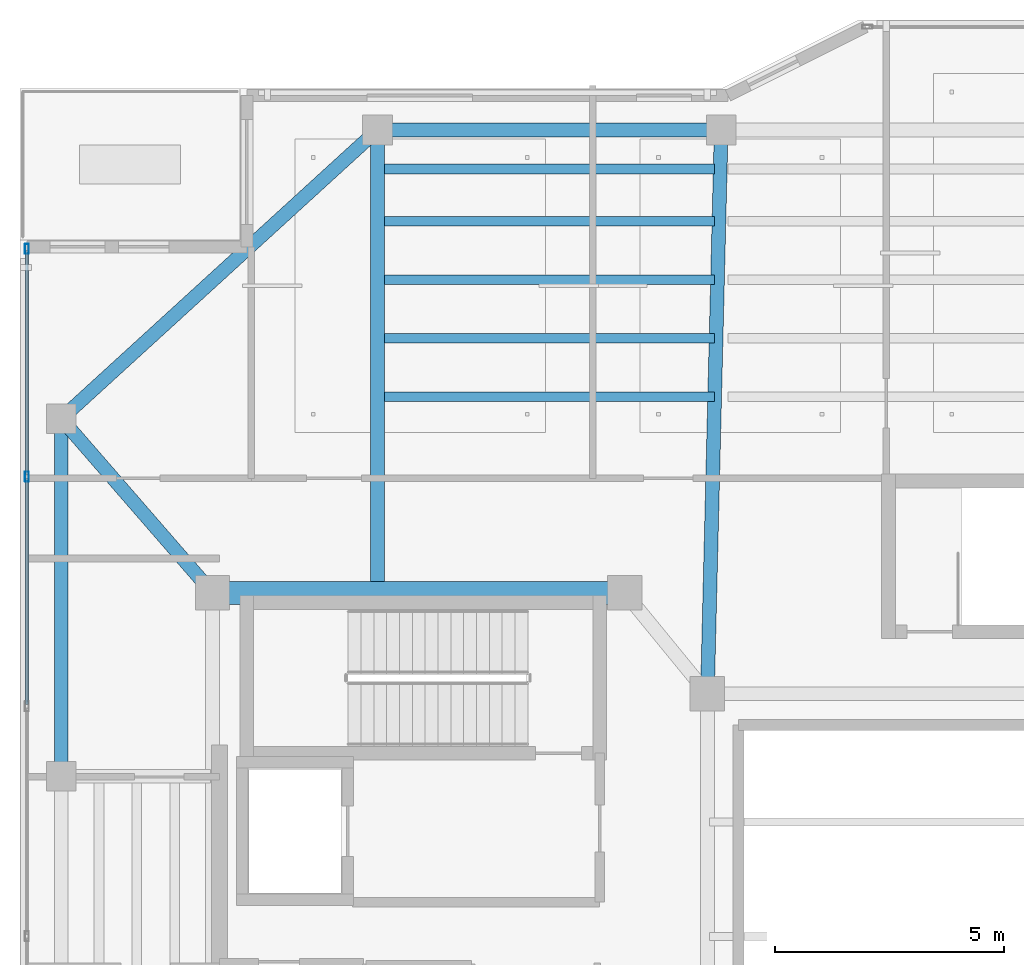
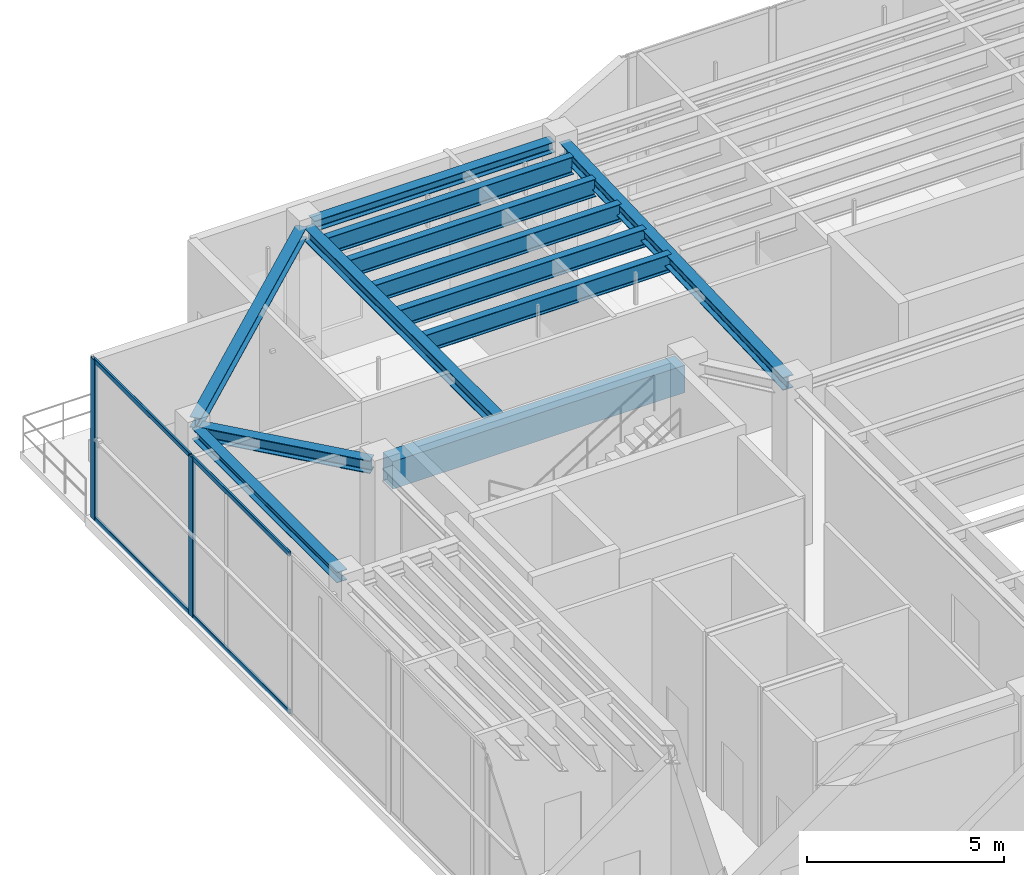
# One storey, part 10 of 23: 12 beams, 6 members, 1 element without a shape of its own.
"""IFC4 building model written with IfcOpenShell, lengths in metres."""

import ifcopenshell
import ifcopenshell.guid

model = None  # the IFC model being written
_history = None  # IfcOwnerHistory: only IFC2X3 demands one
_inside = {}  # id of a spatial element -> (the spatial element, [elements in it])
_under = {}  # id of a project, library or spatial element -> (it, [spatial elements below it])
_declared = {}  # id of a project -> (the project, [libraries it declares])
_typed = {}  # id of a type object -> (the type object, [elements of that type])
_made_of = {}  # id of a material, layer set ... -> (it, [elements and type objects made of it])


def new_model(schema):
    """Start an empty IFC model of exactly this schema.

    Asked for "IFC4X3", IfcOpenShell would pick the latest addendum, in which some entities
    have other attributes; the version numbers below select the first issue.
    IFC2X3 requires an IfcOwnerHistory on every rooted entity: one is made here for all.
    """
    global model, _history
    if schema == "IFC4X3":
        model = ifcopenshell.file(schema_version=(4, 3, 0, 0))
    else:
        model = ifcopenshell.file(schema=schema)
    _inside.clear()
    _under.clear()
    _declared.clear()
    _typed.clear()
    _made_of.clear()
    _history = None
    if model.schema == "IFC2X3":
        org = make("IfcOrganization", Name="unknown")
        user = make(
            "IfcPersonAndOrganization",
            ThePerson=make("IfcPerson", FamilyName="unknown"),
            TheOrganization=org,
        )
        app = make(
            "IfcApplication",
            ApplicationDeveloper=org,
            Version="unknown",
            ApplicationFullName="unknown",
            ApplicationIdentifier="unknown",
        )
        _history = make(
            "IfcOwnerHistory",
            OwningUser=user,
            OwningApplication=app,
            ChangeAction="ADDED",
            CreationDate=0,
        )
    return model


def make(cls, **values):
    """One entity of the class cls with the attributes given. An attribute that is None is left unset."""
    return model.create_entity(
        cls, **{name: value for name, value in values.items() if value is not None}
    )


def rooted(cls, **values):
    """An entity with a GlobalId (a new one), such as an element, a storey or a relation."""
    return make(cls, GlobalId=ifcopenshell.guid.new(), OwnerHistory=_history, **values)


def si_unit(unit_type, name, prefix=None):
    """IfcSIUnit, for example si_unit("LENGTHUNIT", "METRE", prefix="MILLI")."""
    return make("IfcSIUnit", UnitType=unit_type, Prefix=prefix, Name=name)


def assignment(units):
    """IfcUnitAssignment: the units of a project."""
    return None if units is None else make("IfcUnitAssignment", Units=units)


def point(xyz):
    """IfcCartesianPoint."""
    return None if xyz is None else make("IfcCartesianPoint", Coordinates=xyz)


def direction(xyz):
    """IfcDirection."""
    return None if xyz is None else make("IfcDirection", DirectionRatios=xyz)


def frame(location, z_axis=None, x_axis=None):
    """IfcAxis2Placement3D, a coordinate frame: its origin and axes. An axis left out is left unset."""
    return make(
        "IfcAxis2Placement3D",
        Location=point(location),
        Axis=direction(z_axis),
        RefDirection=direction(x_axis),
    )


def frame_2d(location, x_axis=None):
    """IfcAxis2Placement2D, a coordinate frame in the plane: its origin and x axis."""
    return make(
        "IfcAxis2Placement2D", Location=point(location), RefDirection=direction(x_axis)
    )


def origin():
    """The frame at (0, 0, 0) with its axes left unset."""
    return frame((0.0, 0.0, 0.0))


def origin_2d():
    """The frame at (0, 0) in the plane with its x axis left unset."""
    return frame_2d((0.0, 0.0))


def place(relative_to, where):
    """IfcLocalPlacement: puts the frame where relative to a parent placement (None: the world)."""
    return make(
        "IfcLocalPlacement", PlacementRelTo=relative_to, RelativePlacement=where
    )


def context(
    kind, dimensions, precision=None, world=None, true_north=None, identifier=None
):
    """IfcGeometricRepresentationContext, for example the 3D "Model" context."""
    return make(
        "IfcGeometricRepresentationContext",
        ContextIdentifier=identifier,
        ContextType=kind,
        CoordinateSpaceDimension=dimensions,
        Precision=precision,
        WorldCoordinateSystem=world,
        TrueNorth=true_north,
    )


def subcontext(parent, identifier, kind, view, scale=None):
    """IfcGeometricRepresentationSubContext, for example "Body" below "Model"."""
    return make(
        "IfcGeometricRepresentationSubContext",
        ContextIdentifier=identifier,
        ContextType=kind,
        ParentContext=parent,
        TargetScale=scale,
        TargetView=view,
    )


def project(units=None, contexts=None):
    """IfcProject with its units and contexts."""
    return rooted(
        "IfcProject",
        Name="project",
        RepresentationContexts=contexts,
        UnitsInContext=assignment(units),
    )


def spatial(cls, under=None, at=None, **own):
    """A site, building, storey or space (cls), placed at a placement, below another one or the project."""
    s = rooted(cls, ObjectPlacement=at, **own)
    if under is not None:
        _under.setdefault(under.id(), (under, []))[1].append(s)
    return s


def profile(cls, at=None, kind="AREA", **sizes):
    """A parametric profile (cls). Its sizes go by their IFC names, for example OverallWidth=200.0."""
    return make(cls, ProfileType=kind, Position=at, **sizes)


def rectangle(**sizes):
    """IfcRectangleProfileDef."""
    return profile("IfcRectangleProfileDef", **sizes)


def hollow_rectangle(**sizes):
    """IfcRectangleHollowProfileDef."""
    return profile("IfcRectangleHollowProfileDef", **sizes)


def i_section(**sizes):
    """IfcIShapeProfileDef."""
    return profile("IfcIShapeProfileDef", **sizes)


def extrude(swept, where, along, depth):
    """IfcExtrudedAreaSolid: the profile swept, set in the frame where, extruded along a direction by depth."""
    return make(
        "IfcExtrudedAreaSolid",
        SweptArea=swept,
        Position=where,
        ExtrudedDirection=direction(along),
        Depth=depth,
    )


def shape(context_of_items, identifier, shape_type, items):
    """IfcShapeRepresentation: the items that make up one representation, for example the "Body"."""
    return make(
        "IfcShapeRepresentation",
        ContextOfItems=context_of_items,
        RepresentationIdentifier=identifier,
        RepresentationType=shape_type,
        Items=items,
    )


def material(Name=None, Category=None):
    """IfcMaterial."""
    return make("IfcMaterial", Name=Name, Category=Category)


def layer(
    of_material, thickness, ventilated=None, Name=None, Category=None, Priority=None
):
    """IfcMaterialLayer: one layer of a wall or slab, of a material (None: an air gap)."""
    return make(
        "IfcMaterialLayer",
        Material=of_material,
        LayerThickness=thickness,
        IsVentilated=ventilated,
        Name=Name,
        Category=Category,
        Priority=Priority,
    )


def layer_set(layers, Name=None):
    """IfcMaterialLayerSet."""
    return make("IfcMaterialLayerSet", MaterialLayers=layers, LayerSetName=Name)


def material_profile(
    of_material, cross_section, Name=None, Category=None, Priority=None
):
    """IfcMaterialProfile: a cross section and its material."""
    return make(
        "IfcMaterialProfile",
        Name=Name,
        Material=of_material,
        Profile=cross_section,
        Priority=Priority,
        Category=Category,
    )


def profile_set(profiles, Name=None, composite=None):
    """IfcMaterialProfileSet."""
    return make(
        "IfcMaterialProfileSet",
        Name=Name,
        MaterialProfiles=profiles,
        CompositeProfile=composite,
    )


def made_of(thing, what):
    """Note that an element or type object is made of a material, layer set ...; save() writes the relation."""
    if what is not None:
        _made_of.setdefault(what.id(), (what, []))[1].append(thing)
    return thing


def type_object(cls, material=None, **own):
    """A type object (cls), such as IfcWallType, which elements share."""
    return made_of(rooted(cls, **own), material)


def element(
    cls,
    number,
    at=None,
    inside=None,
    cuts=None,
    type_object=None,
    material=None,
    context=None,
    identifier="Body",
    shape_type=None,
    held_by="IfcProductDefinitionShape",
    body=None,
    shapes=None,
    **own,
):
    """One element of the class cls, such as IfcWall. Its Tag is "e" and its number.

    at: its placement. inside: the storey or other place that contains it. cuts: it is an
    opening in that element (IfcRelVoidsElement). A single representation is given by context,
    identifier, shape_type and body (its items); several are given by shapes. held_by: the class
    of the entity that holds the representations. save() writes the other relations.
    """
    e = rooted(cls, Tag="e%d" % number, ObjectPlacement=at, **own)
    if body is not None:
        shapes = [shape(context, identifier, shape_type, body)]
    if shapes is not None:
        e.Representation = make(held_by, Representations=shapes)
    if inside is not None:
        _inside.setdefault(inside.id(), (inside, []))[1].append(e)
    if cuts is not None:
        rooted(
            "IfcRelVoidsElement", RelatingBuildingElement=cuts, RelatedOpeningElement=e
        )
    if type_object is not None:
        _typed.setdefault(type_object.id(), (type_object, []))[1].append(e)
    return made_of(e, material)


def aggregate(whole, parts):
    """IfcRelAggregates: a whole, such as a stair, and the parts it consists of."""
    return rooted("IfcRelAggregates", RelatingObject=whole, RelatedObjects=parts)


def save(model, path):
    """Write the relations noted so far, then the file.

    IfcRelAggregates (storeys below a building ...), IfcRelContainedInSpatialStructure (elements
    in a storey), IfcRelDefinesByType, IfcRelAssociatesMaterial and IfcRelDeclares: one each for
    every whole, place, type object, material and project.
    """
    for whole, parts in _under.values():
        aggregate(whole, parts)
    for where, things in _inside.values():
        rooted(
            "IfcRelContainedInSpatialStructure",
            RelatedElements=things,
            RelatingStructure=where,
        )
    for kind, things in _typed.values():
        rooted("IfcRelDefinesByType", RelatedObjects=things, RelatingType=kind)
    for what, things in _made_of.values():
        rooted("IfcRelAssociatesMaterial", RelatedObjects=things, RelatingMaterial=what)
    for by, libraries in _declared.values():
        rooted("IfcRelDeclares", RelatingContext=by, RelatedDefinitions=libraries)
    model.write(path)


model = new_model("IFC4")

# Units and contexts
model_context = context("Model", 3, precision=1e-05, world=origin(), true_north=direction((0.0, 1.0)))
body_context = subcontext(model_context, "Body", "Model", "MODEL_VIEW")
ifc_project = project(units=[si_unit("LENGTHUNIT", "METRE"), si_unit("AREAUNIT", "SQUARE_METRE"), si_unit("VOLUMEUNIT", "CUBIC_METRE"), si_unit("PLANEANGLEUNIT", "RADIAN"), si_unit("MASSUNIT", "GRAM", prefix="KILO")], contexts=[model_context])

# Site, building, storey
site_placement = place(None, origin())
site = spatial("IfcSite", under=ifc_project, at=site_placement, CompositionType="ELEMENT")
building_placement = place(site_placement, origin())
building = spatial("IfcBuilding", under=site, at=building_placement, Name="Tarnavaz Court Tower", CompositionType="ELEMENT")
storey_placement = place(building_placement, frame((0.0, 0.0, 276.300048828125)))
storey = spatial("IfcBuildingStorey", under=building, at=storey_placement, Name="L75", CompositionType="ELEMENT", Elevation=276.300048828125)

# Beams
ifc_material_1 = material(Name="Concrete C50/60", Category="concrete")
ifc_material_profile_1 = material_profile(ifc_material_1, rectangle(XDim=0.5, YDim=0.85009765625, at=origin_2d()), Name="RC 500X850")
ifc_profile_set_1 = profile_set([ifc_material_profile_1], Name="Concrete C50/60")
beam_type_1 = type_object("IfcBeamType", Name="BM-CB850", PredefinedType="LINTEL", material=ifc_profile_set_1)
beam_1_placement = place(storey_placement, frame((-18.3798828125, 10.0, 4.52490234375), z_axis=(1.0, 0.0, 0.0), x_axis=(0.0, 1.0, 0.0)))
element("IfcBeam", 1, at=beam_1_placement, inside=storey, type_object=beam_type_1, Name="L75 Beam IN-CW-NO-CW-NI", PredefinedType="LINTEL", context=body_context, shape_type="SweptSolid", body=[
    extrude(rectangle(XDim=0.5, YDim=0.85009765625, at=origin_2d()), origin(), (0.0, 0.0, 1.0), 8.559814453125),
])
ifc_material_2 = material(Name="Steel S355", Category="steel")
ifc_material_profile_2 = material_profile(ifc_material_2, i_section(OverallWidth=0.300048828125, OverallDepth=0.39990234375, WebThickness=0.013427734375, FlangeThickness=0.02392578125, FilletRadius=0.027099609375, at=origin_2d()), Name="HEB 400")
ifc_profile_set_2 = profile_set([ifc_material_profile_2], Name="Steel S355")
beam_type_2 = type_object("IfcBeamType", Name="BM-G-HEB400", PredefinedType="USERDEFINED", material=ifc_profile_set_2)
beam_2_placement = place(storey_placement, frame((-15.0, 10.0400390625, 4.75), z_axis=(0.0, 1.0, 0.0), x_axis=(-1.0, 0.0, 0.0)))
element("IfcBeam", 2, at=beam_2_placement, inside=storey, type_object=beam_type_2, Name="L75 Beam RG-01", ObjectType="GIRDER", PredefinedType="USERDEFINED", context=body_context, shape_type="SweptSolid", body=[
    extrude(i_section(OverallWidth=0.300048828125, OverallDepth=0.39990234375, WebThickness=0.013427734375, FlangeThickness=0.02392578125, FilletRadius=0.027099609375, at=origin_2d()), origin(), (0.0, 0.0, 1.0), 9.83984375),
])
beam_3_placement = place(storey_placement, frame((-7.794677734375, 8.02001953125, 4.75), z_axis=(0.024386002211, 0.99970261723, 0.0), x_axis=(-0.99970261723, 0.024386002211, 0.0)))
element("IfcBeam", 3, at=beam_3_placement, inside=storey, type_object=beam_type_2, Name="L75 Beam RG-02", ObjectType="GIRDER", PredefinedType="USERDEFINED", context=body_context, shape_type="SweptSolid", body=[
    extrude(i_section(OverallWidth=0.300048828125, OverallDepth=0.39990234375, WebThickness=0.013427734375, FlangeThickness=0.02392578125, FilletRadius=0.027099609375, at=origin_2d()), origin(), (0.0, 0.0, 1.0), 11.863525390625),
])
beam_4_placement = place(storey_placement, frame((-18.744384765625, 10.166015625, 4.75), z_axis=(-0.65565475567, 0.755060819648, 0.0), x_axis=(-0.755060819648, -0.65565475567, 0.0)))
element("IfcBeam", 4, at=beam_4_placement, inside=storey, type_object=beam_type_2, Name="L75 Beam RG-16", ObjectType="GIRDER", PredefinedType="USERDEFINED", context=body_context, shape_type="SweptSolid", body=[
    extrude(i_section(OverallWidth=0.300048828125, OverallDepth=0.39990234375, WebThickness=0.013427734375, FlangeThickness=0.02392578125, FilletRadius=0.027099609375, at=origin_2d()), origin(), (0.0, 0.0, 1.0), 4.5927734375),
])
ifc_material_profile_3 = material_profile(ifc_material_2, i_section(OverallWidth=0.2099609375, OverallDepth=0.550048828125, WebThickness=0.010986328125, FlangeThickness=0.01708984375, FilletRadius=0.02392578125, at=origin_2d()), Name="IPE 550")
ifc_profile_set_3 = profile_set([ifc_material_profile_3], Name="Steel S355")
beam_type_3 = type_object("IfcBeamType", Name="BM-J-IPE550", PredefinedType="JOIST", material=ifc_profile_set_3)
for number, where, z_axis, x_axis, name in (
    (5, (-14.85009765625, 14.278076171875, 4.675048828125), (1.0, 0.0, 0.0), (0.0, 1.0, 0.0), "L75 Beam JN1-1"),
    (6, (-14.85009765625, 15.555908203125, 4.675048828125), (1.0, 0.0, 0.0), (0.0, 1.0, 0.0), "L75 Beam JN2-1"),
    (7, (-14.85009765625, 16.833984375, 4.675048828125), (1.0, 0.0, 0.0), (0.0, 1.0, 0.0), "L75 Beam JN3-1"),
    (8, (-14.85009765625, 18.112060546875, 4.675048828125), (1.0, 0.0, 0.0), (0.0, 1.0, 0.0), "L75 Beam JN4-1"),
    (9, (-14.85009765625, 19.248046875, 4.675048828125), (1.0, 0.0, 0.0), (0.0, 1.0, 0.0), "L75 Beam JN5-1"),
):
    element("IfcBeam", number, at=place(storey_placement, frame(where, z_axis=z_axis, x_axis=x_axis)), inside=storey, type_object=beam_type_3, Name=name, PredefinedType="JOIST", context=body_context, shape_type="SweptSolid", body=[
        extrude(i_section(OverallWidth=0.2099609375, OverallDepth=0.550048828125, WebThickness=0.010986328125, FlangeThickness=0.01708984375, FilletRadius=0.02392578125, at=origin_2d()), origin(), (0.0, 0.0, 1.0), 7.2001953125),
    ])
ifc_material_profile_4 = material_profile(ifc_material_2, i_section(OverallWidth=0.300048828125, OverallDepth=0.330078125, WebThickness=0.009521484375, FlangeThickness=0.0166015625, FilletRadius=0.027099609375, at=origin_2d()), Name="HEA 340")
ifc_profile_set_4 = profile_set([ifc_material_profile_4], Name="Steel S355")
beam_type_4 = type_object("IfcBeamType", Name="BM-SP-HEA340", PredefinedType="BEAM", material=ifc_profile_set_4)
beam_5_placement = place(storey_placement, frame((-14.780029296875, 20.10009765625, 4.784912109375), z_axis=(1.0, 0.0, 0.0), x_axis=(0.0, 1.0, 0.0)))
element("IfcBeam", 10, at=beam_5_placement, inside=storey, type_object=beam_type_4, Name="L75 Beam PR-PN-1-PN-2", PredefinedType="BEAM", context=body_context, shape_type="SweptSolid", body=[
    extrude(i_section(OverallWidth=0.300048828125, OverallDepth=0.330078125, WebThickness=0.009521484375, FlangeThickness=0.0166015625, FilletRadius=0.027099609375, at=origin_2d()), origin(), (0.0, 0.0, 1.0), 7.06005859375),
])
beam_6_placement = place(storey_placement, frame((-21.89990234375, 6.219970703125, 4.784912109375), z_axis=(0.0, 1.0, 0.0), x_axis=(-1.0, 0.0, 0.0)))
element("IfcBeam", 11, at=beam_6_placement, inside=storey, type_object=beam_type_4, Name="L75 Beam PR-PW-3-PW-4", PredefinedType="BEAM", context=body_context, shape_type="SweptSolid", body=[
    extrude(i_section(OverallWidth=0.300048828125, OverallDepth=0.330078125, WebThickness=0.009521484375, FlangeThickness=0.0166015625, FilletRadius=0.027099609375, at=origin_2d()), origin(), (0.0, 0.0, 1.0), 7.360107421875),
])
beam_7_placement = place(storey_placement, frame((-21.737548828125, 13.9482421875, 4.784912109375), z_axis=(0.738474214476, 0.674281717499, 0.0), x_axis=(-0.674281717499, 0.738474214476, 0.0)))
element("IfcBeam", 12, at=beam_7_placement, inside=storey, type_object=beam_type_4, Name="L75 Beam PR-PW-4-PN-1", PredefinedType="BEAM", context=body_context, shape_type="SweptSolid", body=[
    extrude(i_section(OverallWidth=0.300048828125, OverallDepth=0.330078125, WebThickness=0.009521484375, FlangeThickness=0.0166015625, FilletRadius=0.027099609375, at=origin_2d()), origin(), (0.0, 0.0, 1.0), 8.9033203125),
])

# Curtain wall, members
ifc_material_3 = material(Name="Anodised Aluminium 6063-T6 and Solar Low-E Glazing", Category="aluminium")
ifc_layer = layer(ifc_material_3, 0.2099609375)
ifc_layer_set = layer_set([ifc_layer], Name="Anodised Aluminium 6063-T6 and Solar Low-E Glazing")
curtain_wall_type = type_object("IfcCurtainWallType", Name="CW-SYS-06", PredefinedType="NOTDEFINED", material=ifc_layer_set)
curtain_wall_placement = place(storey_placement, origin())
curtain_wall = element("IfcCurtainWall", 13, at=curtain_wall_placement, inside=storey, type_object=curtain_wall_type, Name="L75 Observation Curtain Wall 2", PredefinedType="NOTDEFINED")
ifc_material_4 = material(Name="Anodised Aluminium 6063-T6", Category="aluminium")
ifc_material_profile_5 = material_profile(ifc_material_4, hollow_rectangle(XDim=0.0849609375, YDim=0.219970703125, WallThickness=0.006103515625, InnerFilletRadius=0.006103515625, OuterFilletRadius=0.011962890625, at=origin_2d()), Name="ALU RHS 220X85X6")
ifc_profile_set_5 = profile_set([ifc_material_profile_5], Name="Anodised Aluminium 6063-T6")
member_type_1 = type_object("IfcMemberType", Name="CW-MUL-220", PredefinedType="MULLION", material=ifc_profile_set_5)
member_1_placement = place(storey_placement, frame((-22.64990234375, 12.53564453125, 0.0), z_axis=(0.0, 0.0, 1.0), x_axis=(-1.0, 0.0, 0.0)))
member_1 = element("IfcMember", 14, at=member_1_placement, type_object=member_type_1, Name="CW mullion 7", PredefinedType="MULLION", context=body_context, shape_type="SweptSolid", body=[
    extrude(hollow_rectangle(XDim=0.0849609375, YDim=0.219970703125, WallThickness=0.006103515625, InnerFilletRadius=0.006103515625, OuterFilletRadius=0.011962890625, at=origin_2d()), origin(), (0.0, 0.0, 1.0), 4.949951171875),
])
member_2_placement = place(storey_placement, frame((-22.64990234375, 17.507568359375, 0.0), z_axis=(0.0, 0.0, 1.0), x_axis=(-1.0, 0.0, 0.0)))
member_2 = element("IfcMember", 15, at=member_2_placement, type_object=member_type_1, Name="CW mullion 8", PredefinedType="MULLION", context=body_context, shape_type="SweptSolid", body=[
    extrude(hollow_rectangle(XDim=0.0849609375, YDim=0.219970703125, WallThickness=0.006103515625, InnerFilletRadius=0.006103515625, OuterFilletRadius=0.011962890625, at=origin_2d()), origin(), (0.0, 0.0, 1.0), 4.949951171875),
])
ifc_material_profile_6 = material_profile(ifc_material_4, hollow_rectangle(XDim=0.06494140625, YDim=0.139892578125, WallThickness=0.00390625, InnerFilletRadius=0.00390625, OuterFilletRadius=0.008056640625, at=origin_2d()), Name="ALU RHS 140X65X4")
ifc_profile_set_6 = profile_set([ifc_material_profile_6], Name="Anodised Aluminium 6063-T6")
member_type_2 = type_object("IfcMemberType", Name="CW-TRN-140", PredefinedType="USERDEFINED", material=ifc_profile_set_6)
member_3_placement = place(storey_placement, frame((-22.64990234375, 7.56396484375, 0.032470703125), z_axis=(0.0, 1.0, 0.0), x_axis=(-1.0, 0.0, 0.0)))
member_3 = element("IfcMember", 16, at=member_3_placement, type_object=member_type_2, Name="CW transom 6.1", ObjectType="TRANSOM", PredefinedType="USERDEFINED", context=body_context, shape_type="SweptSolid", body=[
    extrude(hollow_rectangle(XDim=0.06494140625, YDim=0.139892578125, WallThickness=0.00390625, InnerFilletRadius=0.00390625, OuterFilletRadius=0.008056640625, at=origin_2d()), origin(), (0.0, 0.0, 1.0), 4.92919921875),
])
member_4_placement = place(storey_placement, frame((-22.64990234375, 7.56396484375, 4.91748046875), z_axis=(0.0, 1.0, 0.0), x_axis=(-1.0, 0.0, 0.0)))
member_4 = element("IfcMember", 17, at=member_4_placement, type_object=member_type_2, Name="CW transom 6.2", ObjectType="TRANSOM", PredefinedType="USERDEFINED", context=body_context, shape_type="SweptSolid", body=[
    extrude(hollow_rectangle(XDim=0.06494140625, YDim=0.139892578125, WallThickness=0.00390625, InnerFilletRadius=0.00390625, OuterFilletRadius=0.008056640625, at=origin_2d()), origin(), (0.0, 0.0, 1.0), 4.92919921875),
])
member_5_placement = place(storey_placement, frame((-22.64990234375, 12.578125, 0.032470703125), z_axis=(0.0, 1.0, 0.0), x_axis=(-1.0, 0.0, 0.0)))
member_5 = element("IfcMember", 18, at=member_5_placement, type_object=member_type_2, Name="CW transom 7.1", ObjectType="TRANSOM", PredefinedType="USERDEFINED", context=body_context, shape_type="SweptSolid", body=[
    extrude(hollow_rectangle(XDim=0.06494140625, YDim=0.139892578125, WallThickness=0.00390625, InnerFilletRadius=0.00390625, OuterFilletRadius=0.008056640625, at=origin_2d()), origin(), (0.0, 0.0, 1.0), 4.886962890625),
])
member_6_placement = place(storey_placement, frame((-22.64990234375, 12.578125, 4.91748046875), z_axis=(0.0, 1.0, 0.0), x_axis=(-1.0, 0.0, 0.0)))
member_6 = element("IfcMember", 19, at=member_6_placement, type_object=member_type_2, Name="CW transom 7.2", ObjectType="TRANSOM", PredefinedType="USERDEFINED", context=body_context, shape_type="SweptSolid", body=[
    extrude(hollow_rectangle(XDim=0.06494140625, YDim=0.139892578125, WallThickness=0.00390625, InnerFilletRadius=0.00390625, OuterFilletRadius=0.008056640625, at=origin_2d()), origin(), (0.0, 0.0, 1.0), 4.886962890625),
])
aggregate(curtain_wall, [member_1, member_2, member_3, member_4, member_5, member_6])

save(model, "model.ifc")
